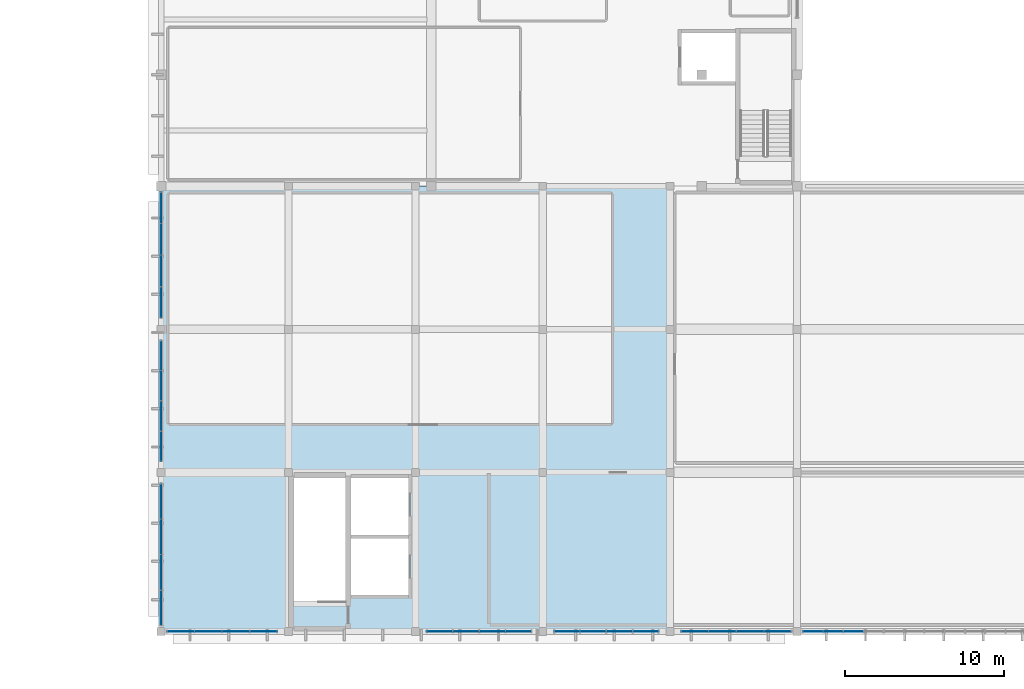
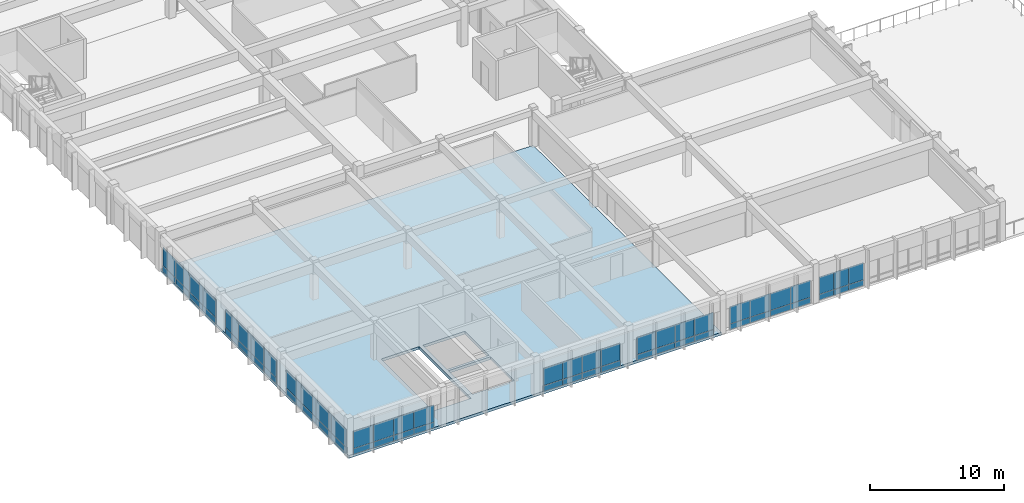
# One storey, part 17 of 33: 62 plates, 1 slab, 8 elements without a shape of their own.
"""IFC4 building model written with IfcOpenShell, lengths in metres."""

from ifc_helpers import new_model, si_unit, direction, frame, origin, origin_2d, place, context, subcontext, project, spatial, polyline, rectangle, outline, extrude, material, layer, layer_set, type_object, element, aggregate, save


model = new_model("IFC4")

# Units and contexts
model_context = context("Model", 3, precision=1e-05, world=origin(), true_north=direction((0.0, 1.0)))
body_context = subcontext(model_context, "Body", "Model", "MODEL_VIEW")
ifc_project = project(units=[si_unit("LENGTHUNIT", "METRE"), si_unit("AREAUNIT", "SQUARE_METRE"), si_unit("VOLUMEUNIT", "CUBIC_METRE"), si_unit("PLANEANGLEUNIT", "RADIAN"), si_unit("MASSUNIT", "GRAM", prefix="KILO")], contexts=[model_context])

# Site, building, storey
site_placement = place(None, origin())
site = spatial("IfcSite", under=ifc_project, at=site_placement, CompositionType="ELEMENT")
building_placement = place(site_placement, origin())
building = spatial("IfcBuilding", under=site, at=building_placement, Name="Larkveld Mobility Hub", CompositionType="ELEMENT")
storey_placement = place(building_placement, frame((0.0, 0.0, 15.60009765625)))
storey = spatial("IfcBuildingStorey", under=building, at=storey_placement, Name="L04", CompositionType="ELEMENT", Elevation=15.60009765625)

# Curtain wall, plates
ifc_material_1 = material(Name="Anodised aluminium 6063-T6", Category="aluminium")
curtain_wall_type_1 = type_object("IfcCurtainWallType", Name="CW-SYS-07", PredefinedType="NOTDEFINED", material=ifc_material_1)
curtain_wall_1_placement = place(storey_placement, origin())
curtain_wall_1 = element("IfcCurtainWall", 1, at=curtain_wall_1_placement, inside=storey, type_object=curtain_wall_type_1, Name="Service Centre South Curtain Wall L04 CW-127", PredefinedType="NOTDEFINED")
ifc_material_2 = material(Name="Low-E laminated solar-control double glazing", Category="glass")
ifc_layer_1 = layer(ifc_material_2, 0.028076171875, Name="Low-E laminated solar-control double glazing", Category="glass")
ifc_layer_set_1 = layer_set([ifc_layer_1], Name="Low-E laminated solar-control double glazing")
plate_type_1 = type_object("IfcPlateType", Name="CW-PNL-GL01", PredefinedType="CURTAIN_PANEL", material=ifc_layer_set_1)
plate_1_placement = place(storey_placement, frame((137.528076171875, 0.0, 0.5263671875), z_axis=(0.0, 0.0, 1.0), x_axis=(1.0, 0.0, 0.0)))
plate_1 = element("IfcPlate", 2, at=plate_1_placement, type_object=plate_type_1, Name="CW07 panel 1", PredefinedType="CURTAIN_PANEL", context=body_context, shape_type="SweptSolid", body=[
    extrude(rectangle(XDim=1.625, YDim=0.028076171875, at=origin_2d()), origin(), (0.0, 0.0, 1.0), 1.551025390625),
])
plate_2_placement = place(storey_placement, frame((139.173095703125, 0.0, 0.5263671875), z_axis=(0.0, 0.0, 1.0), x_axis=(1.0, 0.0, 0.0)))
plate_2 = element("IfcPlate", 3, at=plate_2_placement, type_object=plate_type_1, Name="CW07 panel 2", PredefinedType="CURTAIN_PANEL", context=body_context, shape_type="SweptSolid", body=[
    extrude(rectangle(XDim=1.64501953125, YDim=0.028076171875, at=origin_2d()), origin(), (0.0, 0.0, 1.0), 1.551025390625),
])
plate_3_placement = place(storey_placement, frame((140.826904296875, 0.0, 0.5263671875), z_axis=(0.0, 0.0, 1.0), x_axis=(1.0, 0.0, 0.0)))
plate_3 = element("IfcPlate", 4, at=plate_3_placement, type_object=plate_type_1, Name="CW07 panel 3", PredefinedType="CURTAIN_PANEL", context=body_context, shape_type="SweptSolid", body=[
    extrude(rectangle(XDim=1.64501953125, YDim=0.028076171875, at=origin_2d()), origin(), (0.0, 0.0, 1.0), 1.551025390625),
])
plate_4_placement = place(storey_placement, frame((142.471923828125, 0.0, 0.5263671875), z_axis=(0.0, 0.0, 1.0), x_axis=(1.0, 0.0, 0.0)))
plate_4 = element("IfcPlate", 5, at=plate_4_placement, type_object=plate_type_1, Name="CW07 panel 4", PredefinedType="CURTAIN_PANEL", context=body_context, shape_type="SweptSolid", body=[
    extrude(rectangle(XDim=1.625, YDim=0.028076171875, at=origin_2d()), origin(), (0.0, 0.0, 1.0), 1.551025390625),
])

curtain_wall_type_2 = type_object("IfcCurtainWallType", Name="CW-SYS-01", PredefinedType="NOTDEFINED", material=ifc_material_1)
curtain_wall_2_placement = place(storey_placement, origin())
curtain_wall_2 = element("IfcCurtainWall", 6, at=curtain_wall_2_placement, inside=storey, type_object=curtain_wall_type_2, Name="Public Passage East Service Facade L04 CW-133", PredefinedType="NOTDEFINED")
plate_5_placement = place(storey_placement, frame((112.0, 17.347900390625, 0.552001953125), z_axis=(0.0, 0.0, 1.0), x_axis=(0.0, -1.0, 0.0)))
plate_5 = element("IfcPlate", 7, at=plate_5_placement, type_object=plate_type_1, Name="CW01 panel 1", PredefinedType="CURTAIN_PANEL", context=body_context, shape_type="SweptSolid", body=[
    extrude(rectangle(XDim=1.875, YDim=0.028076171875, at=origin_2d()), origin(), (0.0, 0.0, 1.0), 1.6259765625),
])
plate_6_placement = place(storey_placement, frame((112.0, 15.452880859375, 0.552001953125), z_axis=(0.0, 0.0, 1.0), x_axis=(0.0, -1.0, 0.0)))
plate_6 = element("IfcPlate", 8, at=plate_6_placement, type_object=plate_type_1, Name="CW01 panel 2", PredefinedType="CURTAIN_PANEL", context=body_context, shape_type="SweptSolid", body=[
    extrude(rectangle(XDim=1.89501953125, YDim=0.028076171875, at=origin_2d()), origin(), (0.0, 0.0, 1.0), 1.6259765625),
])
plate_7_placement = place(storey_placement, frame((112.0, 13.547119140625, 0.552001953125), z_axis=(0.0, 0.0, 1.0), x_axis=(0.0, -1.0, 0.0)))
plate_7 = element("IfcPlate", 9, at=plate_7_placement, type_object=plate_type_1, Name="CW01 panel 3", PredefinedType="CURTAIN_PANEL", context=body_context, shape_type="SweptSolid", body=[
    extrude(rectangle(XDim=1.89501953125, YDim=0.028076171875, at=origin_2d()), origin(), (0.0, 0.0, 1.0), 1.6259765625),
])
plate_8_placement = place(storey_placement, frame((112.0, 11.652099609375, 0.552001953125), z_axis=(0.0, 0.0, 1.0), x_axis=(0.0, -1.0, 0.0)))
plate_8 = element("IfcPlate", 10, at=plate_8_placement, type_object=plate_type_1, Name="CW01 panel 4", PredefinedType="CURTAIN_PANEL", context=body_context, shape_type="SweptSolid", body=[
    extrude(rectangle(XDim=1.875, YDim=0.028076171875, at=origin_2d()), origin(), (0.0, 0.0, 1.0), 1.6259765625),
])

curtain_wall_type_3 = type_object("IfcCurtainWallType", Name="CW-SYS-05", PredefinedType="NOTDEFINED", material=ifc_material_1)
curtain_wall_3_placement = place(storey_placement, origin())
curtain_wall_3 = element("IfcCurtainWall", 11, at=curtain_wall_3_placement, inside=storey, type_object=curtain_wall_type_3, Name="Service Centre South Curtain Wall L04 CW-125", PredefinedType="NOTDEFINED")
ifc_material_3 = material(Name="Acoustic solar-control laminated double glazing", Category="glass")
ifc_layer_2 = layer(ifc_material_3, 0.031982421875, Name="Acoustic solar-control laminated double glazing", Category="glass")
ifc_layer_set_2 = layer_set([ifc_layer_2], Name="Acoustic solar-control laminated double glazing")
plate_type_2 = type_object("IfcPlateType", Name="CW-PNL-GL02", PredefinedType="CURTAIN_PANEL", material=ifc_layer_set_2)
plate_9_placement = place(storey_placement, frame((113.22998046875, 0.0, 0.5263671875), z_axis=(0.0, 0.0, 1.0), x_axis=(1.0, 0.0, 0.0)))
plate_9 = element("IfcPlate", 12, at=plate_9_placement, type_object=plate_type_2, Name="CW05 panel 1", PredefinedType="CURTAIN_PANEL", context=body_context, shape_type="SweptSolid", body=[
    extrude(rectangle(XDim=1.7099609375, YDim=0.031982421875, at=origin_2d()), origin(), (0.0, 0.0, 1.0), 1.551025390625),
])
plate_10_placement = place(storey_placement, frame((114.9599609375, 0.0, 0.5263671875), z_axis=(0.0, 0.0, 1.0), x_axis=(1.0, 0.0, 0.0)))
plate_10 = element("IfcPlate", 13, at=plate_10_placement, type_object=plate_type_2, Name="CW05 panel 2", PredefinedType="CURTAIN_PANEL", context=body_context, shape_type="SweptSolid", body=[
    extrude(rectangle(XDim=1.72998046875, YDim=0.031982421875, at=origin_2d()), origin(), (0.0, 0.0, 1.0), 1.551025390625),
])
plate_11_placement = place(storey_placement, frame((116.699951171875, 0.0, 0.5263671875), z_axis=(0.0, 0.0, 1.0), x_axis=(1.0, 0.0, 0.0)))
plate_11 = element("IfcPlate", 14, at=plate_11_placement, type_object=plate_type_2, Name="CW05 panel 3", PredefinedType="CURTAIN_PANEL", context=body_context, shape_type="SweptSolid", body=[
    extrude(rectangle(XDim=1.72998046875, YDim=0.031982421875, at=origin_2d()), origin(), (0.0, 0.0, 1.0), 1.551025390625),
])
plate_12_placement = place(storey_placement, frame((118.429931640625, 0.0, 0.5263671875), z_axis=(0.0, 0.0, 1.0), x_axis=(1.0, 0.0, 0.0)))
plate_12 = element("IfcPlate", 15, at=plate_12_placement, type_object=plate_type_2, Name="CW05 panel 4", PredefinedType="CURTAIN_PANEL", context=body_context, shape_type="SweptSolid", body=[
    extrude(rectangle(XDim=1.7099609375, YDim=0.031982421875, at=origin_2d()), origin(), (0.0, 0.0, 1.0), 1.551025390625),
])

curtain_wall_type_4 = type_object("IfcCurtainWallType", Name="CW-SYS-08", PredefinedType="NOTDEFINED", material=ifc_material_1)
curtain_wall_4_placement = place(storey_placement, origin())
curtain_wall_4 = element("IfcCurtainWall", 16, at=curtain_wall_4_placement, inside=storey, type_object=curtain_wall_type_4, Name="Service Centre South Curtain Wall L04 CW-128", PredefinedType="NOTDEFINED")
plate_13_placement = place(storey_placement, frame((145.570068359375, 0.0, 0.5263671875), z_axis=(0.0, 0.0, 1.0), x_axis=(1.0, 0.0, 0.0)))
plate_13 = element("IfcPlate", 17, at=plate_13_placement, type_object=plate_type_2, Name="CW08 panel 1", PredefinedType="CURTAIN_PANEL", context=body_context, shape_type="SweptSolid", body=[
    extrude(rectangle(XDim=1.7099609375, YDim=0.031982421875, at=origin_2d()), origin(), (0.0, 0.0, 1.0), 1.551025390625),
])
plate_14_placement = place(storey_placement, frame((147.300048828125, 0.0, 0.5263671875), z_axis=(0.0, 0.0, 1.0), x_axis=(1.0, 0.0, 0.0)))
plate_14 = element("IfcPlate", 18, at=plate_14_placement, type_object=plate_type_2, Name="CW08 panel 2", PredefinedType="CURTAIN_PANEL", context=body_context, shape_type="SweptSolid", body=[
    extrude(rectangle(XDim=1.72998046875, YDim=0.031982421875, at=origin_2d()), origin(), (0.0, 0.0, 1.0), 1.551025390625),
])
plate_15_placement = place(storey_placement, frame((149.0400390625, 0.0, 0.5263671875), z_axis=(0.0, 0.0, 1.0), x_axis=(1.0, 0.0, 0.0)))
plate_15 = element("IfcPlate", 19, at=plate_15_placement, type_object=plate_type_2, Name="CW08 panel 3", PredefinedType="CURTAIN_PANEL", context=body_context, shape_type="SweptSolid", body=[
    extrude(rectangle(XDim=1.72998046875, YDim=0.031982421875, at=origin_2d()), origin(), (0.0, 0.0, 1.0), 1.551025390625),
])
plate_16_placement = place(storey_placement, frame((150.77001953125, 0.0, 0.5263671875), z_axis=(0.0, 0.0, 1.0), x_axis=(1.0, 0.0, 0.0)))
plate_16 = element("IfcPlate", 20, at=plate_16_placement, type_object=plate_type_2, Name="CW08 panel 4", PredefinedType="CURTAIN_PANEL", context=body_context, shape_type="SweptSolid", body=[
    extrude(rectangle(XDim=1.7099609375, YDim=0.031982421875, at=origin_2d()), origin(), (0.0, 0.0, 1.0), 1.551025390625),
])

curtain_wall_type_5 = type_object("IfcCurtainWallType", Name="CW-SYS-02", PredefinedType="NOTDEFINED", material=ifc_material_1)
curtain_wall_5_placement = place(storey_placement, origin())
curtain_wall_5 = element("IfcCurtainWall", 21, at=curtain_wall_5_placement, inside=storey, type_object=curtain_wall_type_5, Name="Public Passage East Service Facade L04 CW-134", PredefinedType="NOTDEFINED")
plate_17_placement = place(storey_placement, frame((112.0, 8.179931640625, 0.552001953125), z_axis=(0.0, 0.0, 1.0), x_axis=(0.0, -1.0, 0.0)))
plate_17 = element("IfcPlate", 22, at=plate_17_placement, type_object=plate_type_2, Name="CW02 panel 1", PredefinedType="CURTAIN_PANEL", context=body_context, shape_type="SweptSolid", body=[
    extrude(rectangle(XDim=2.2099609375, YDim=0.031982421875, at=origin_2d()), origin(), (0.0, 0.0, 1.0), 1.6259765625),
])
plate_18_placement = place(storey_placement, frame((112.0, 5.949951171875, 0.552001953125), z_axis=(0.0, 0.0, 1.0), x_axis=(0.0, -1.0, 0.0)))
plate_18 = element("IfcPlate", 23, at=plate_18_placement, type_object=plate_type_2, Name="CW02 panel 2", PredefinedType="CURTAIN_PANEL", context=body_context, shape_type="SweptSolid", body=[
    extrude(rectangle(XDim=2.22998046875, YDim=0.031982421875, at=origin_2d()), origin(), (0.0, 0.0, 1.0), 1.6259765625),
])
plate_19_placement = place(storey_placement, frame((112.0, 3.7099609375, 0.552001953125), z_axis=(0.0, 0.0, 1.0), x_axis=(0.0, -1.0, 0.0)))
plate_19 = element("IfcPlate", 24, at=plate_19_placement, type_object=plate_type_2, Name="CW02 panel 3", PredefinedType="CURTAIN_PANEL", context=body_context, shape_type="SweptSolid", body=[
    extrude(rectangle(XDim=2.22998046875, YDim=0.031982421875, at=origin_2d()), origin(), (0.0, 0.0, 1.0), 1.6259765625),
])
plate_20_placement = place(storey_placement, frame((112.0, 1.47998046875, 0.552001953125), z_axis=(0.0, 0.0, 1.0), x_axis=(0.0, -1.0, 0.0)))
plate_20 = element("IfcPlate", 25, at=plate_20_placement, type_object=plate_type_2, Name="CW02 panel 4", PredefinedType="CURTAIN_PANEL", context=body_context, shape_type="SweptSolid", body=[
    extrude(rectangle(XDim=2.2099609375, YDim=0.031982421875, at=origin_2d()), origin(), (0.0, 0.0, 1.0), 1.6259765625),
])

curtain_wall_type_6 = type_object("IfcCurtainWallType", Name="CW-SYS-06", PredefinedType="NOTDEFINED", material=ifc_material_1)
curtain_wall_6_placement = place(storey_placement, origin())
curtain_wall_6 = element("IfcCurtainWall", 26, at=curtain_wall_6_placement, inside=storey, type_object=curtain_wall_type_6, Name="Service Centre South Curtain Wall L04 CW-126", PredefinedType="NOTDEFINED")
ifc_material_4 = material(Name="Tinted safety double glazing", Category="glass")
ifc_layer_3 = layer(ifc_material_4, 0.035888671875, Name="Tinted safety double glazing", Category="glass")
ifc_layer_set_3 = layer_set([ifc_layer_3], Name="Tinted safety double glazing")
plate_type_3 = type_object("IfcPlateType", Name="CW-PNL-GL03", PredefinedType="CURTAIN_PANEL", material=ifc_layer_set_3)
plate_21_placement = place(storey_placement, frame((129.528076171875, 0.0, 0.5263671875), z_axis=(0.0, 0.0, 1.0), x_axis=(1.0, 0.0, 0.0)))
plate_21 = element("IfcPlate", 27, at=plate_21_placement, type_object=plate_type_3, Name="CW06 panel 1", PredefinedType="CURTAIN_PANEL", context=body_context, shape_type="SweptSolid", body=[
    extrude(rectangle(XDim=1.625, YDim=0.035888671875, at=origin_2d()), origin(), (0.0, 0.0, 1.0), 1.551025390625),
])
plate_22_placement = place(storey_placement, frame((131.173095703125, 0.0, 0.5263671875), z_axis=(0.0, 0.0, 1.0), x_axis=(1.0, 0.0, 0.0)))
plate_22 = element("IfcPlate", 28, at=plate_22_placement, type_object=plate_type_3, Name="CW06 panel 2", PredefinedType="CURTAIN_PANEL", context=body_context, shape_type="SweptSolid", body=[
    extrude(rectangle(XDim=1.64501953125, YDim=0.035888671875, at=origin_2d()), origin(), (0.0, 0.0, 1.0), 1.551025390625),
])
plate_23_placement = place(storey_placement, frame((132.826904296875, 0.0, 0.5263671875), z_axis=(0.0, 0.0, 1.0), x_axis=(1.0, 0.0, 0.0)))
plate_23 = element("IfcPlate", 29, at=plate_23_placement, type_object=plate_type_3, Name="CW06 panel 3", PredefinedType="CURTAIN_PANEL", context=body_context, shape_type="SweptSolid", body=[
    extrude(rectangle(XDim=1.64501953125, YDim=0.035888671875, at=origin_2d()), origin(), (0.0, 0.0, 1.0), 1.551025390625),
])
plate_24_placement = place(storey_placement, frame((134.471923828125, 0.0, 0.5263671875), z_axis=(0.0, 0.0, 1.0), x_axis=(1.0, 0.0, 0.0)))
plate_24 = element("IfcPlate", 30, at=plate_24_placement, type_object=plate_type_3, Name="CW06 panel 4", PredefinedType="CURTAIN_PANEL", context=body_context, shape_type="SweptSolid", body=[
    extrude(rectangle(XDim=1.625, YDim=0.035888671875, at=origin_2d()), origin(), (0.0, 0.0, 1.0), 1.551025390625),
])

curtain_wall_type_7 = type_object("IfcCurtainWallType", Name="CW-SYS-09", PredefinedType="NOTDEFINED", material=ifc_material_1)
curtain_wall_7_placement = place(storey_placement, origin())
curtain_wall_7 = element("IfcCurtainWall", 31, at=curtain_wall_7_placement, inside=storey, type_object=curtain_wall_type_7, Name="Service Wing South Glazing L04 CW-129", PredefinedType="NOTDEFINED")
plate_25_placement = place(storey_placement, frame((152.998046875, 0.0, 0.5263671875), z_axis=(0.0, 0.0, 1.0), x_axis=(1.0, 0.0, 0.0)))
plate_25 = element("IfcPlate", 32, at=plate_25_placement, type_object=plate_type_3, Name="CW09 panel 1", PredefinedType="CURTAIN_PANEL", context=body_context, shape_type="SweptSolid", body=[
    extrude(rectangle(XDim=1.2451171875, YDim=0.035888671875, at=origin_2d()), origin(), (0.0, 0.0, 1.0), 1.551025390625),
])
plate_26_placement = place(storey_placement, frame((154.261962890625, 0.0, 0.5263671875), z_axis=(0.0, 0.0, 1.0), x_axis=(1.0, 0.0, 0.0)))
plate_26 = element("IfcPlate", 33, at=plate_26_placement, type_object=plate_type_3, Name="CW09 panel 2", PredefinedType="CURTAIN_PANEL", context=body_context, shape_type="SweptSolid", body=[
    extrude(rectangle(XDim=1.264892578125, YDim=0.035888671875, at=origin_2d()), origin(), (0.0, 0.0, 1.0), 1.551025390625),
])
plate_27_placement = place(storey_placement, frame((155.537109375, 0.0, 0.5263671875), z_axis=(0.0, 0.0, 1.0), x_axis=(1.0, 0.0, 0.0)))
plate_27 = element("IfcPlate", 34, at=plate_27_placement, type_object=plate_type_3, Name="CW09 panel 3", PredefinedType="CURTAIN_PANEL", context=body_context, shape_type="SweptSolid", body=[
    extrude(rectangle(XDim=1.264892578125, YDim=0.035888671875, at=origin_2d()), origin(), (0.0, 0.0, 1.0), 1.551025390625),
])

curtain_wall_type_8 = type_object("IfcCurtainWallType", Name="CW-SYS-12", PredefinedType="NOTDEFINED", material=ifc_material_1)
curtain_wall_8_placement = place(storey_placement, origin())
curtain_wall_8 = element("IfcCurtainWall", 35, at=curtain_wall_8_placement, inside=storey, type_object=curtain_wall_type_8, Name="Public Passage East Service Facade L04 CW-132", PredefinedType="NOTDEFINED")
plate_28_placement = place(storey_placement, frame((112.0, 26.64501953125, 0.552001953125), z_axis=(0.0, 0.0, 1.0), x_axis=(0.0, -1.0, 0.0)))
plate_28 = element("IfcPlate", 36, at=plate_28_placement, type_object=plate_type_3, Name="CW12 panel 1", PredefinedType="CURTAIN_PANEL", context=body_context, shape_type="SweptSolid", body=[
    extrude(rectangle(XDim=1.9599609375, YDim=0.035888671875, at=origin_2d()), origin(), (0.0, 0.0, 1.0), 1.6259765625),
])
plate_29_placement = place(storey_placement, frame((112.0, 24.6650390625, 0.552001953125), z_axis=(0.0, 0.0, 1.0), x_axis=(0.0, -1.0, 0.0)))
plate_29 = element("IfcPlate", 37, at=plate_29_placement, type_object=plate_type_3, Name="CW12 panel 2", PredefinedType="CURTAIN_PANEL", context=body_context, shape_type="SweptSolid", body=[
    extrude(rectangle(XDim=1.97998046875, YDim=0.035888671875, at=origin_2d()), origin(), (0.0, 0.0, 1.0), 1.6259765625),
])
plate_30_placement = place(storey_placement, frame((112.0, 22.675048828125, 0.552001953125), z_axis=(0.0, 0.0, 1.0), x_axis=(0.0, -1.0, 0.0)))
plate_30 = element("IfcPlate", 38, at=plate_30_placement, type_object=plate_type_3, Name="CW12 panel 3", PredefinedType="CURTAIN_PANEL", context=body_context, shape_type="SweptSolid", body=[
    extrude(rectangle(XDim=1.97998046875, YDim=0.035888671875, at=origin_2d()), origin(), (0.0, 0.0, 1.0), 1.6259765625),
])
plate_31_placement = place(storey_placement, frame((112.0, 20.695068359375, 0.552001953125), z_axis=(0.0, 0.0, 1.0), x_axis=(0.0, -1.0, 0.0)))
plate_31 = element("IfcPlate", 39, at=plate_31_placement, type_object=plate_type_3, Name="CW12 panel 4", PredefinedType="CURTAIN_PANEL", context=body_context, shape_type="SweptSolid", body=[
    extrude(rectangle(XDim=1.9599609375, YDim=0.035888671875, at=origin_2d()), origin(), (0.0, 0.0, 1.0), 1.6259765625),
])

# Plate
ifc_material_5 = material(Name="Insulated fluoropolymer aluminium spandrel", Category="aluminium")
ifc_layer_4 = layer(ifc_material_5, 0.06494140625, Name="Insulated fluoropolymer aluminium spandrel", Category="aluminium")
ifc_layer_set_4 = layer_set([ifc_layer_4], Name="Insulated fluoropolymer aluminium spandrel")
plate_type_4 = type_object("IfcPlateType", Name="CW-PNL-SP01", PredefinedType="CURTAIN_PANEL", material=ifc_layer_set_4)
plate_32_placement = place(storey_placement, frame((113.22998046875, 0.0, -0.00048828125), z_axis=(0.0, 0.0, 1.0), x_axis=(1.0, 0.0, 0.0)))
plate_32 = element("IfcPlate", 40, at=plate_32_placement, type_object=plate_type_4, Name="CW05 spandrel 1", PredefinedType="CURTAIN_PANEL", context=body_context, shape_type="SweptSolid", body=[
    extrude(rectangle(XDim=1.7099609375, YDim=0.06494140625, at=origin_2d()), origin(), (0.0, 0.0, 1.0), 0.514892578125),
])

plate_33_placement = place(storey_placement, frame((114.9599609375, 0.0, -0.00048828125), z_axis=(0.0, 0.0, 1.0), x_axis=(1.0, 0.0, 0.0)))
plate_33 = element("IfcPlate", 41, at=plate_33_placement, type_object=plate_type_4, Name="CW05 spandrel 2", PredefinedType="CURTAIN_PANEL", context=body_context, shape_type="SweptSolid", body=[
    extrude(rectangle(XDim=1.72998046875, YDim=0.06494140625, at=origin_2d()), origin(), (0.0, 0.0, 1.0), 0.514892578125),
])

plate_34_placement = place(storey_placement, frame((116.699951171875, 0.0, -0.00048828125), z_axis=(0.0, 0.0, 1.0), x_axis=(1.0, 0.0, 0.0)))
plate_34 = element("IfcPlate", 42, at=plate_34_placement, type_object=plate_type_4, Name="CW05 spandrel 3", PredefinedType="CURTAIN_PANEL", context=body_context, shape_type="SweptSolid", body=[
    extrude(rectangle(XDim=1.72998046875, YDim=0.06494140625, at=origin_2d()), origin(), (0.0, 0.0, 1.0), 0.514892578125),
])

plate_35_placement = place(storey_placement, frame((118.429931640625, 0.0, -0.00048828125), z_axis=(0.0, 0.0, 1.0), x_axis=(1.0, 0.0, 0.0)))
plate_35 = element("IfcPlate", 43, at=plate_35_placement, type_object=plate_type_4, Name="CW05 spandrel 4", PredefinedType="CURTAIN_PANEL", context=body_context, shape_type="SweptSolid", body=[
    extrude(rectangle(XDim=1.7099609375, YDim=0.06494140625, at=origin_2d()), origin(), (0.0, 0.0, 1.0), 0.514892578125),
])

aggregate(curtain_wall_3, [plate_32, plate_9, plate_33, plate_10, plate_34, plate_11, plate_35, plate_12])

plate_36_placement = place(storey_placement, frame((137.528076171875, 0.0, -0.00048828125), z_axis=(0.0, 0.0, 1.0), x_axis=(1.0, 0.0, 0.0)))
plate_36 = element("IfcPlate", 44, at=plate_36_placement, type_object=plate_type_4, Name="CW07 spandrel 1", PredefinedType="CURTAIN_PANEL", context=body_context, shape_type="SweptSolid", body=[
    extrude(rectangle(XDim=1.625, YDim=0.06494140625, at=origin_2d()), origin(), (0.0, 0.0, 1.0), 0.514892578125),
])

plate_37_placement = place(storey_placement, frame((139.173095703125, 0.0, -0.00048828125), z_axis=(0.0, 0.0, 1.0), x_axis=(1.0, 0.0, 0.0)))
plate_37 = element("IfcPlate", 45, at=plate_37_placement, type_object=plate_type_4, Name="CW07 spandrel 2", PredefinedType="CURTAIN_PANEL", context=body_context, shape_type="SweptSolid", body=[
    extrude(rectangle(XDim=1.64501953125, YDim=0.06494140625, at=origin_2d()), origin(), (0.0, 0.0, 1.0), 0.514892578125),
])

plate_38_placement = place(storey_placement, frame((140.826904296875, 0.0, -0.00048828125), z_axis=(0.0, 0.0, 1.0), x_axis=(1.0, 0.0, 0.0)))
plate_38 = element("IfcPlate", 46, at=plate_38_placement, type_object=plate_type_4, Name="CW07 spandrel 3", PredefinedType="CURTAIN_PANEL", context=body_context, shape_type="SweptSolid", body=[
    extrude(rectangle(XDim=1.64501953125, YDim=0.06494140625, at=origin_2d()), origin(), (0.0, 0.0, 1.0), 0.514892578125),
])

plate_39_placement = place(storey_placement, frame((142.471923828125, 0.0, -0.00048828125), z_axis=(0.0, 0.0, 1.0), x_axis=(1.0, 0.0, 0.0)))
plate_39 = element("IfcPlate", 47, at=plate_39_placement, type_object=plate_type_4, Name="CW07 spandrel 4", PredefinedType="CURTAIN_PANEL", context=body_context, shape_type="SweptSolid", body=[
    extrude(rectangle(XDim=1.625, YDim=0.06494140625, at=origin_2d()), origin(), (0.0, 0.0, 1.0), 0.514892578125),
])

aggregate(curtain_wall_1, [plate_36, plate_1, plate_37, plate_2, plate_38, plate_3, plate_39, plate_4])

plate_40_placement = place(storey_placement, frame((152.998046875, 0.0, -0.00048828125), z_axis=(0.0, 0.0, 1.0), x_axis=(1.0, 0.0, 0.0)))
plate_40 = element("IfcPlate", 48, at=plate_40_placement, type_object=plate_type_4, Name="CW09 spandrel 1", PredefinedType="CURTAIN_PANEL", context=body_context, shape_type="SweptSolid", body=[
    extrude(rectangle(XDim=1.2451171875, YDim=0.06494140625, at=origin_2d()), origin(), (0.0, 0.0, 1.0), 0.514892578125),
])

plate_41_placement = place(storey_placement, frame((154.261962890625, 0.0, -0.00048828125), z_axis=(0.0, 0.0, 1.0), x_axis=(1.0, 0.0, 0.0)))
plate_41 = element("IfcPlate", 49, at=plate_41_placement, type_object=plate_type_4, Name="CW09 spandrel 2", PredefinedType="CURTAIN_PANEL", context=body_context, shape_type="SweptSolid", body=[
    extrude(rectangle(XDim=1.264892578125, YDim=0.06494140625, at=origin_2d()), origin(), (0.0, 0.0, 1.0), 0.514892578125),
])

plate_42_placement = place(storey_placement, frame((155.537109375, 0.0, -0.00048828125), z_axis=(0.0, 0.0, 1.0), x_axis=(1.0, 0.0, 0.0)))
plate_42 = element("IfcPlate", 50, at=plate_42_placement, type_object=plate_type_4, Name="CW09 spandrel 3", PredefinedType="CURTAIN_PANEL", context=body_context, shape_type="SweptSolid", body=[
    extrude(rectangle(XDim=1.264892578125, YDim=0.06494140625, at=origin_2d()), origin(), (0.0, 0.0, 1.0), 0.514892578125),
])

aggregate(curtain_wall_7, [plate_40, plate_25, plate_41, plate_26, plate_42, plate_27])

plate_43_placement = place(storey_placement, frame((112.0, 17.347900390625, 0.0), z_axis=(0.0, 0.0, 1.0), x_axis=(0.0, -1.0, 0.0)))
plate_43 = element("IfcPlate", 51, at=plate_43_placement, type_object=plate_type_4, Name="CW01 spandrel 1", PredefinedType="CURTAIN_PANEL", context=body_context, shape_type="SweptSolid", body=[
    extrude(rectangle(XDim=1.875, YDim=0.06494140625, at=origin_2d()), origin(), (0.0, 0.0, 1.0), 0.5400390625),
])

plate_44_placement = place(storey_placement, frame((112.0, 15.452880859375, 0.0), z_axis=(0.0, 0.0, 1.0), x_axis=(0.0, -1.0, 0.0)))
plate_44 = element("IfcPlate", 52, at=plate_44_placement, type_object=plate_type_4, Name="CW01 spandrel 2", PredefinedType="CURTAIN_PANEL", context=body_context, shape_type="SweptSolid", body=[
    extrude(rectangle(XDim=1.89501953125, YDim=0.06494140625, at=origin_2d()), origin(), (0.0, 0.0, 1.0), 0.5400390625),
])

plate_45_placement = place(storey_placement, frame((112.0, 13.547119140625, 0.0), z_axis=(0.0, 0.0, 1.0), x_axis=(0.0, -1.0, 0.0)))
plate_45 = element("IfcPlate", 53, at=plate_45_placement, type_object=plate_type_4, Name="CW01 spandrel 3", PredefinedType="CURTAIN_PANEL", context=body_context, shape_type="SweptSolid", body=[
    extrude(rectangle(XDim=1.89501953125, YDim=0.06494140625, at=origin_2d()), origin(), (0.0, 0.0, 1.0), 0.5400390625),
])

plate_46_placement = place(storey_placement, frame((112.0, 11.652099609375, 0.0), z_axis=(0.0, 0.0, 1.0), x_axis=(0.0, -1.0, 0.0)))
plate_46 = element("IfcPlate", 54, at=plate_46_placement, type_object=plate_type_4, Name="CW01 spandrel 4", PredefinedType="CURTAIN_PANEL", context=body_context, shape_type="SweptSolid", body=[
    extrude(rectangle(XDim=1.875, YDim=0.06494140625, at=origin_2d()), origin(), (0.0, 0.0, 1.0), 0.5400390625),
])

aggregate(curtain_wall_2, [plate_43, plate_5, plate_44, plate_6, plate_45, plate_7, plate_46, plate_8])

ifc_material_6 = material(Name="Insulated terracotta-toned aluminium spandrel", Category="masonry")
ifc_layer_5 = layer(ifc_material_6, 0.080078125, Name="Insulated terracotta-toned aluminium spandrel", Category="masonry")
ifc_layer_set_5 = layer_set([ifc_layer_5], Name="Insulated terracotta-toned aluminium spandrel")
plate_type_5 = type_object("IfcPlateType", Name="CW-PNL-SP02", PredefinedType="CURTAIN_PANEL", material=ifc_layer_set_5)
plate_47_placement = place(storey_placement, frame((129.528076171875, 0.0, -0.00048828125), z_axis=(0.0, 0.0, 1.0), x_axis=(1.0, 0.0, 0.0)))
plate_47 = element("IfcPlate", 55, at=plate_47_placement, type_object=plate_type_5, Name="CW06 spandrel 1", PredefinedType="CURTAIN_PANEL", context=body_context, shape_type="SweptSolid", body=[
    extrude(rectangle(XDim=1.625, YDim=0.080078125, at=origin_2d()), origin(), (0.0, 0.0, 1.0), 0.514892578125),
])

plate_48_placement = place(storey_placement, frame((131.173095703125, 0.0, -0.00048828125), z_axis=(0.0, 0.0, 1.0), x_axis=(1.0, 0.0, 0.0)))
plate_48 = element("IfcPlate", 56, at=plate_48_placement, type_object=plate_type_5, Name="CW06 spandrel 2", PredefinedType="CURTAIN_PANEL", context=body_context, shape_type="SweptSolid", body=[
    extrude(rectangle(XDim=1.64501953125, YDim=0.080078125, at=origin_2d()), origin(), (0.0, 0.0, 1.0), 0.514892578125),
])

plate_49_placement = place(storey_placement, frame((132.826904296875, 0.0, -0.00048828125), z_axis=(0.0, 0.0, 1.0), x_axis=(1.0, 0.0, 0.0)))
plate_49 = element("IfcPlate", 57, at=plate_49_placement, type_object=plate_type_5, Name="CW06 spandrel 3", PredefinedType="CURTAIN_PANEL", context=body_context, shape_type="SweptSolid", body=[
    extrude(rectangle(XDim=1.64501953125, YDim=0.080078125, at=origin_2d()), origin(), (0.0, 0.0, 1.0), 0.514892578125),
])

plate_50_placement = place(storey_placement, frame((134.471923828125, 0.0, -0.00048828125), z_axis=(0.0, 0.0, 1.0), x_axis=(1.0, 0.0, 0.0)))
plate_50 = element("IfcPlate", 58, at=plate_50_placement, type_object=plate_type_5, Name="CW06 spandrel 4", PredefinedType="CURTAIN_PANEL", context=body_context, shape_type="SweptSolid", body=[
    extrude(rectangle(XDim=1.625, YDim=0.080078125, at=origin_2d()), origin(), (0.0, 0.0, 1.0), 0.514892578125),
])

aggregate(curtain_wall_6, [plate_47, plate_21, plate_48, plate_22, plate_49, plate_23, plate_50, plate_24])

plate_51_placement = place(storey_placement, frame((145.570068359375, 0.0, -0.00048828125), z_axis=(0.0, 0.0, 1.0), x_axis=(1.0, 0.0, 0.0)))
plate_51 = element("IfcPlate", 59, at=plate_51_placement, type_object=plate_type_5, Name="CW08 spandrel 1", PredefinedType="CURTAIN_PANEL", context=body_context, shape_type="SweptSolid", body=[
    extrude(rectangle(XDim=1.7099609375, YDim=0.080078125, at=origin_2d()), origin(), (0.0, 0.0, 1.0), 0.514892578125),
])

plate_52_placement = place(storey_placement, frame((147.300048828125, 0.0, -0.00048828125), z_axis=(0.0, 0.0, 1.0), x_axis=(1.0, 0.0, 0.0)))
plate_52 = element("IfcPlate", 60, at=plate_52_placement, type_object=plate_type_5, Name="CW08 spandrel 2", PredefinedType="CURTAIN_PANEL", context=body_context, shape_type="SweptSolid", body=[
    extrude(rectangle(XDim=1.72998046875, YDim=0.080078125, at=origin_2d()), origin(), (0.0, 0.0, 1.0), 0.514892578125),
])

plate_53_placement = place(storey_placement, frame((149.0400390625, 0.0, -0.00048828125), z_axis=(0.0, 0.0, 1.0), x_axis=(1.0, 0.0, 0.0)))
plate_53 = element("IfcPlate", 61, at=plate_53_placement, type_object=plate_type_5, Name="CW08 spandrel 3", PredefinedType="CURTAIN_PANEL", context=body_context, shape_type="SweptSolid", body=[
    extrude(rectangle(XDim=1.72998046875, YDim=0.080078125, at=origin_2d()), origin(), (0.0, 0.0, 1.0), 0.514892578125),
])

plate_54_placement = place(storey_placement, frame((150.77001953125, 0.0, -0.00048828125), z_axis=(0.0, 0.0, 1.0), x_axis=(1.0, 0.0, 0.0)))
plate_54 = element("IfcPlate", 62, at=plate_54_placement, type_object=plate_type_5, Name="CW08 spandrel 4", PredefinedType="CURTAIN_PANEL", context=body_context, shape_type="SweptSolid", body=[
    extrude(rectangle(XDim=1.7099609375, YDim=0.080078125, at=origin_2d()), origin(), (0.0, 0.0, 1.0), 0.514892578125),
])

aggregate(curtain_wall_4, [plate_51, plate_13, plate_52, plate_14, plate_53, plate_15, plate_54, plate_16])

plate_55_placement = place(storey_placement, frame((112.0, 26.64501953125, 0.0), z_axis=(0.0, 0.0, 1.0), x_axis=(0.0, -1.0, 0.0)))
plate_55 = element("IfcPlate", 63, at=plate_55_placement, type_object=plate_type_5, Name="CW12 spandrel 1", PredefinedType="CURTAIN_PANEL", context=body_context, shape_type="SweptSolid", body=[
    extrude(rectangle(XDim=1.9599609375, YDim=0.080078125, at=origin_2d()), origin(), (0.0, 0.0, 1.0), 0.5400390625),
])

plate_56_placement = place(storey_placement, frame((112.0, 24.6650390625, 0.0), z_axis=(0.0, 0.0, 1.0), x_axis=(0.0, -1.0, 0.0)))
plate_56 = element("IfcPlate", 64, at=plate_56_placement, type_object=plate_type_5, Name="CW12 spandrel 2", PredefinedType="CURTAIN_PANEL", context=body_context, shape_type="SweptSolid", body=[
    extrude(rectangle(XDim=1.97998046875, YDim=0.080078125, at=origin_2d()), origin(), (0.0, 0.0, 1.0), 0.5400390625),
])

plate_57_placement = place(storey_placement, frame((112.0, 22.675048828125, 0.0), z_axis=(0.0, 0.0, 1.0), x_axis=(0.0, -1.0, 0.0)))
plate_57 = element("IfcPlate", 65, at=plate_57_placement, type_object=plate_type_5, Name="CW12 spandrel 3", PredefinedType="CURTAIN_PANEL", context=body_context, shape_type="SweptSolid", body=[
    extrude(rectangle(XDim=1.97998046875, YDim=0.080078125, at=origin_2d()), origin(), (0.0, 0.0, 1.0), 0.5400390625),
])

plate_58_placement = place(storey_placement, frame((112.0, 20.695068359375, 0.0), z_axis=(0.0, 0.0, 1.0), x_axis=(0.0, -1.0, 0.0)))
plate_58 = element("IfcPlate", 66, at=plate_58_placement, type_object=plate_type_5, Name="CW12 spandrel 4", PredefinedType="CURTAIN_PANEL", context=body_context, shape_type="SweptSolid", body=[
    extrude(rectangle(XDim=1.9599609375, YDim=0.080078125, at=origin_2d()), origin(), (0.0, 0.0, 1.0), 0.5400390625),
])

aggregate(curtain_wall_8, [plate_55, plate_28, plate_56, plate_29, plate_57, plate_30, plate_58, plate_31])

plate_59_placement = place(storey_placement, frame((112.0, 8.179931640625, 0.0), z_axis=(0.0, 0.0, 1.0), x_axis=(0.0, -1.0, 0.0)))
plate_59 = element("IfcPlate", 67, at=plate_59_placement, type_object=plate_type_5, Name="CW02 spandrel 1", PredefinedType="CURTAIN_PANEL", context=body_context, shape_type="SweptSolid", body=[
    extrude(rectangle(XDim=2.2099609375, YDim=0.080078125, at=origin_2d()), origin(), (0.0, 0.0, 1.0), 0.5400390625),
])

plate_60_placement = place(storey_placement, frame((112.0, 5.949951171875, 0.0), z_axis=(0.0, 0.0, 1.0), x_axis=(0.0, -1.0, 0.0)))
plate_60 = element("IfcPlate", 68, at=plate_60_placement, type_object=plate_type_5, Name="CW02 spandrel 2", PredefinedType="CURTAIN_PANEL", context=body_context, shape_type="SweptSolid", body=[
    extrude(rectangle(XDim=2.22998046875, YDim=0.080078125, at=origin_2d()), origin(), (0.0, 0.0, 1.0), 0.5400390625),
])

plate_61_placement = place(storey_placement, frame((112.0, 3.7099609375, 0.0), z_axis=(0.0, 0.0, 1.0), x_axis=(0.0, -1.0, 0.0)))
plate_61 = element("IfcPlate", 69, at=plate_61_placement, type_object=plate_type_5, Name="CW02 spandrel 3", PredefinedType="CURTAIN_PANEL", context=body_context, shape_type="SweptSolid", body=[
    extrude(rectangle(XDim=2.22998046875, YDim=0.080078125, at=origin_2d()), origin(), (0.0, 0.0, 1.0), 0.5400390625),
])

plate_62_placement = place(storey_placement, frame((112.0, 1.47998046875, 0.0), z_axis=(0.0, 0.0, 1.0), x_axis=(0.0, -1.0, 0.0)))
plate_62 = element("IfcPlate", 70, at=plate_62_placement, type_object=plate_type_5, Name="CW02 spandrel 4", PredefinedType="CURTAIN_PANEL", context=body_context, shape_type="SweptSolid", body=[
    extrude(rectangle(XDim=2.2099609375, YDim=0.080078125, at=origin_2d()), origin(), (0.0, 0.0, 1.0), 0.5400390625),
])

aggregate(curtain_wall_5, [plate_59, plate_17, plate_60, plate_18, plate_61, plate_19, plate_62, plate_20])

# Slab
ifc_material_7 = material(Name="Concrete C40/50", Category="concrete")
ifc_layer_6 = layer(ifc_material_7, 0.25, Name="Concrete C40/50", Category="concrete")
ifc_layer_set_6 = layer_set([ifc_layer_6], Name="Concrete C40/50")
slab_type = type_object("IfcSlabType", Name="SL-FLR-250", PredefinedType="FLOOR", material=ifc_layer_set_6)
slab_placement = place(storey_placement, frame((0.0, 0.0, -0.25)))
element("IfcSlab", 71, at=slab_placement, inside=storey, type_object=slab_type, Name="Service Centre Slab L04-127", PredefinedType="FLOOR", context=body_context, shape_type="SweptSolid", body=[
    extrude(outline(polyline([(112.0, 0.0), (144.0, 0.0), (144.0, 28.0), (112.0, 28.0), (112.0, 0.0)]), holes=[polyline([(120.35009765625, 1.89990234375), (120.35009765625, 9.64990234375), (123.60009765625, 9.64990234375), (123.60009765625, 1.89990234375), (120.35009765625, 1.89990234375)]), polyline([(123.93994140625, 6.06005859375), (123.93994140625, 9.64990234375), (127.5400390625, 9.64990234375), (127.5400390625, 6.06005859375), (123.93994140625, 6.06005859375)]), polyline([(123.93994140625, 2.300048828125), (123.93994140625, 5.840087890625), (127.5400390625, 5.840087890625), (127.5400390625, 2.300048828125), (123.93994140625, 2.300048828125)])]), origin(), (0.0, 0.0, 1.0), 0.25),
])

save(model, "model.ifc")
